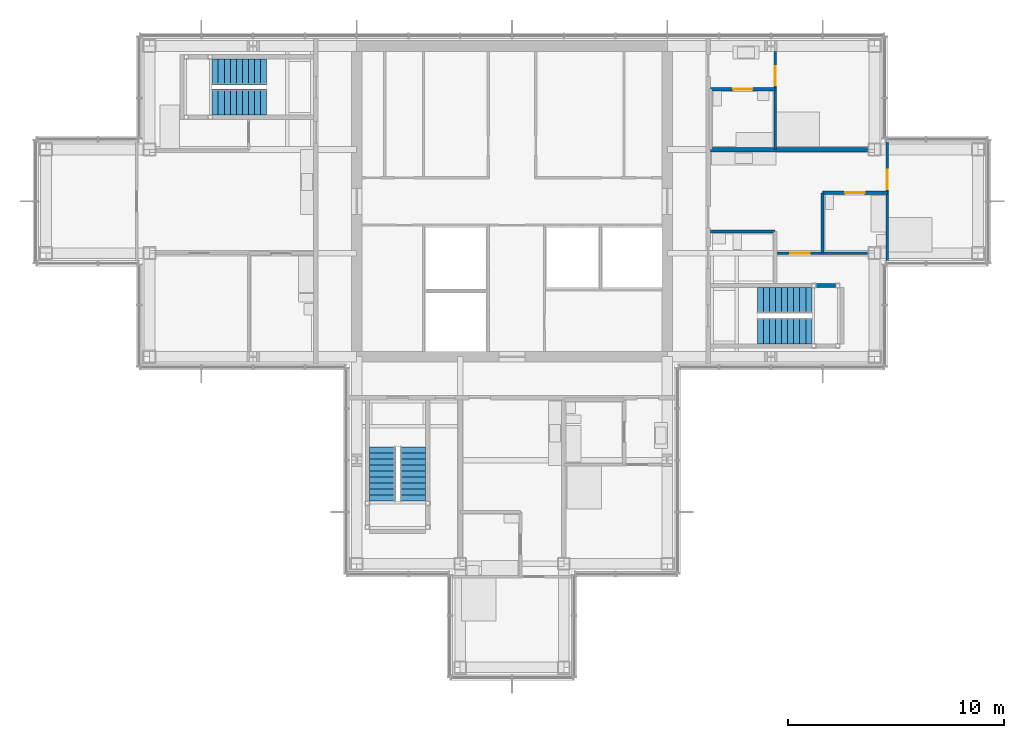
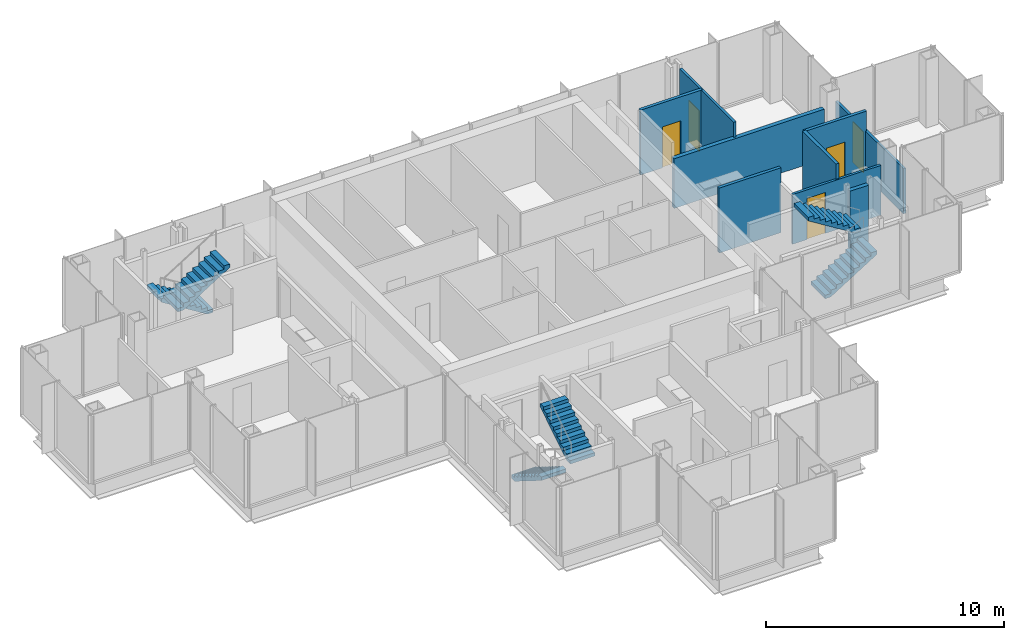
# One storey, part 12 of 15: 9 walls, 6 stair flights, 5 doors, 5 openings, 3 elements without a shape of their own.
"""IFC4 building model written with IfcOpenShell, lengths in metres."""

import ifcopenshell
import ifcopenshell.guid

model = None  # the IFC model being written
_history = None  # IfcOwnerHistory: only IFC2X3 demands one
_inside = {}  # id of a spatial element -> (the spatial element, [elements in it])
_under = {}  # id of a project, library or spatial element -> (it, [spatial elements below it])
_declared = {}  # id of a project -> (the project, [libraries it declares])
_typed = {}  # id of a type object -> (the type object, [elements of that type])
_made_of = {}  # id of a material, layer set ... -> (it, [elements and type objects made of it])


def new_model(schema):
    """Start an empty IFC model of exactly this schema.

    Asked for "IFC4X3", IfcOpenShell would pick the latest addendum, in which some entities
    have other attributes; the version numbers below select the first issue.
    IFC2X3 requires an IfcOwnerHistory on every rooted entity: one is made here for all.
    """
    global model, _history
    if schema == "IFC4X3":
        model = ifcopenshell.file(schema_version=(4, 3, 0, 0))
    else:
        model = ifcopenshell.file(schema=schema)
    _inside.clear()
    _under.clear()
    _declared.clear()
    _typed.clear()
    _made_of.clear()
    _history = None
    if model.schema == "IFC2X3":
        org = make("IfcOrganization", Name="unknown")
        user = make(
            "IfcPersonAndOrganization",
            ThePerson=make("IfcPerson", FamilyName="unknown"),
            TheOrganization=org,
        )
        app = make(
            "IfcApplication",
            ApplicationDeveloper=org,
            Version="unknown",
            ApplicationFullName="unknown",
            ApplicationIdentifier="unknown",
        )
        _history = make(
            "IfcOwnerHistory",
            OwningUser=user,
            OwningApplication=app,
            ChangeAction="ADDED",
            CreationDate=0,
        )
    return model


def make(cls, **values):
    """One entity of the class cls with the attributes given. An attribute that is None is left unset."""
    return model.create_entity(
        cls, **{name: value for name, value in values.items() if value is not None}
    )


def rooted(cls, **values):
    """An entity with a GlobalId (a new one), such as an element, a storey or a relation."""
    return make(cls, GlobalId=ifcopenshell.guid.new(), OwnerHistory=_history, **values)


def si_unit(unit_type, name, prefix=None):
    """IfcSIUnit, for example si_unit("LENGTHUNIT", "METRE", prefix="MILLI")."""
    return make("IfcSIUnit", UnitType=unit_type, Prefix=prefix, Name=name)


def assignment(units):
    """IfcUnitAssignment: the units of a project."""
    return None if units is None else make("IfcUnitAssignment", Units=units)


def point(xyz):
    """IfcCartesianPoint."""
    return None if xyz is None else make("IfcCartesianPoint", Coordinates=xyz)


def direction(xyz):
    """IfcDirection."""
    return None if xyz is None else make("IfcDirection", DirectionRatios=xyz)


def frame(location, z_axis=None, x_axis=None):
    """IfcAxis2Placement3D, a coordinate frame: its origin and axes. An axis left out is left unset."""
    return make(
        "IfcAxis2Placement3D",
        Location=point(location),
        Axis=direction(z_axis),
        RefDirection=direction(x_axis),
    )


def frame_2d(location, x_axis=None):
    """IfcAxis2Placement2D, a coordinate frame in the plane: its origin and x axis."""
    return make(
        "IfcAxis2Placement2D", Location=point(location), RefDirection=direction(x_axis)
    )


def origin():
    """The frame at (0, 0, 0) with its axes left unset."""
    return frame((0.0, 0.0, 0.0))


def place(relative_to, where):
    """IfcLocalPlacement: puts the frame where relative to a parent placement (None: the world)."""
    return make(
        "IfcLocalPlacement", PlacementRelTo=relative_to, RelativePlacement=where
    )


def context(
    kind, dimensions, precision=None, world=None, true_north=None, identifier=None
):
    """IfcGeometricRepresentationContext, for example the 3D "Model" context."""
    return make(
        "IfcGeometricRepresentationContext",
        ContextIdentifier=identifier,
        ContextType=kind,
        CoordinateSpaceDimension=dimensions,
        Precision=precision,
        WorldCoordinateSystem=world,
        TrueNorth=true_north,
    )


def subcontext(parent, identifier, kind, view, scale=None):
    """IfcGeometricRepresentationSubContext, for example "Body" below "Model"."""
    return make(
        "IfcGeometricRepresentationSubContext",
        ContextIdentifier=identifier,
        ContextType=kind,
        ParentContext=parent,
        TargetScale=scale,
        TargetView=view,
    )


def project(units=None, contexts=None):
    """IfcProject with its units and contexts."""
    return rooted(
        "IfcProject",
        Name="project",
        RepresentationContexts=contexts,
        UnitsInContext=assignment(units),
    )


def spatial(cls, under=None, at=None, **own):
    """A site, building, storey or space (cls), placed at a placement, below another one or the project."""
    s = rooted(cls, ObjectPlacement=at, **own)
    if under is not None:
        _under.setdefault(under.id(), (under, []))[1].append(s)
    return s


def polyline(points):
    """IfcPolyline through the points."""
    return make("IfcPolyline", Points=[point(p) for p in points])


def profile(cls, at=None, kind="AREA", **sizes):
    """A parametric profile (cls). Its sizes go by their IFC names, for example OverallWidth=200.0."""
    return make(cls, ProfileType=kind, Position=at, **sizes)


def rectangle(**sizes):
    """IfcRectangleProfileDef."""
    return profile("IfcRectangleProfileDef", **sizes)


def outline(outer, holes=None, kind="AREA"):
    """IfcArbitraryClosedProfileDef: a profile drawn as a closed curve; with holes, ...WithVoids."""
    if holes is None:
        return make("IfcArbitraryClosedProfileDef", ProfileType=kind, OuterCurve=outer)
    return make(
        "IfcArbitraryProfileDefWithVoids",
        ProfileType=kind,
        OuterCurve=outer,
        InnerCurves=holes,
    )


def extrude(swept, where, along, depth):
    """IfcExtrudedAreaSolid: the profile swept, set in the frame where, extruded along a direction by depth."""
    return make(
        "IfcExtrudedAreaSolid",
        SweptArea=swept,
        Position=where,
        ExtrudedDirection=direction(along),
        Depth=depth,
    )


def shape(context_of_items, identifier, shape_type, items):
    """IfcShapeRepresentation: the items that make up one representation, for example the "Body"."""
    return make(
        "IfcShapeRepresentation",
        ContextOfItems=context_of_items,
        RepresentationIdentifier=identifier,
        RepresentationType=shape_type,
        Items=items,
    )


def material(Name=None, Category=None):
    """IfcMaterial."""
    return make("IfcMaterial", Name=Name, Category=Category)


def layer(
    of_material, thickness, ventilated=None, Name=None, Category=None, Priority=None
):
    """IfcMaterialLayer: one layer of a wall or slab, of a material (None: an air gap)."""
    return make(
        "IfcMaterialLayer",
        Material=of_material,
        LayerThickness=thickness,
        IsVentilated=ventilated,
        Name=Name,
        Category=Category,
        Priority=Priority,
    )


def layer_set(layers, Name=None):
    """IfcMaterialLayerSet."""
    return make("IfcMaterialLayerSet", MaterialLayers=layers, LayerSetName=Name)


def made_of(thing, what):
    """Note that an element or type object is made of a material, layer set ...; save() writes the relation."""
    if what is not None:
        _made_of.setdefault(what.id(), (what, []))[1].append(thing)
    return thing


def type_object(cls, material=None, **own):
    """A type object (cls), such as IfcWallType, which elements share."""
    return made_of(rooted(cls, **own), material)


def element(
    cls,
    number,
    at=None,
    inside=None,
    cuts=None,
    type_object=None,
    material=None,
    context=None,
    identifier="Body",
    shape_type=None,
    held_by="IfcProductDefinitionShape",
    body=None,
    shapes=None,
    **own,
):
    """One element of the class cls, such as IfcWall. Its Tag is "e" and its number.

    at: its placement. inside: the storey or other place that contains it. cuts: it is an
    opening in that element (IfcRelVoidsElement). A single representation is given by context,
    identifier, shape_type and body (its items); several are given by shapes. held_by: the class
    of the entity that holds the representations. save() writes the other relations.
    """
    e = rooted(cls, Tag="e%d" % number, ObjectPlacement=at, **own)
    if body is not None:
        shapes = [shape(context, identifier, shape_type, body)]
    if shapes is not None:
        e.Representation = make(held_by, Representations=shapes)
    if inside is not None:
        _inside.setdefault(inside.id(), (inside, []))[1].append(e)
    if cuts is not None:
        rooted(
            "IfcRelVoidsElement", RelatingBuildingElement=cuts, RelatedOpeningElement=e
        )
    if type_object is not None:
        _typed.setdefault(type_object.id(), (type_object, []))[1].append(e)
    return made_of(e, material)


def fill(opening, filler):
    """IfcRelFillsElement: the door or window that sits in an opening."""
    return rooted(
        "IfcRelFillsElement",
        RelatingOpeningElement=opening,
        RelatedBuildingElement=filler,
    )


def aggregate(whole, parts):
    """IfcRelAggregates: a whole, such as a stair, and the parts it consists of."""
    return rooted("IfcRelAggregates", RelatingObject=whole, RelatedObjects=parts)


def save(model, path):
    """Write the relations noted so far, then the file.

    IfcRelAggregates (storeys below a building ...), IfcRelContainedInSpatialStructure (elements
    in a storey), IfcRelDefinesByType, IfcRelAssociatesMaterial and IfcRelDeclares: one each for
    every whole, place, type object, material and project.
    """
    for whole, parts in _under.values():
        aggregate(whole, parts)
    for where, things in _inside.values():
        rooted(
            "IfcRelContainedInSpatialStructure",
            RelatedElements=things,
            RelatingStructure=where,
        )
    for kind, things in _typed.values():
        rooted("IfcRelDefinesByType", RelatedObjects=things, RelatingType=kind)
    for what, things in _made_of.values():
        rooted("IfcRelAssociatesMaterial", RelatedObjects=things, RelatingMaterial=what)
    for by, libraries in _declared.values():
        rooted("IfcRelDeclares", RelatingContext=by, RelatedDefinitions=libraries)
    model.write(path)


model = new_model("IFC4")

# Units and contexts
model_context = context("Model", 3, precision=1e-05, world=origin(), true_north=direction((0.0, 1.0)))
body_context = subcontext(model_context, "Body", "Model", "MODEL_VIEW")
ifc_project = project(units=[si_unit("LENGTHUNIT", "METRE"), si_unit("AREAUNIT", "SQUARE_METRE"), si_unit("VOLUMEUNIT", "CUBIC_METRE"), si_unit("PLANEANGLEUNIT", "RADIAN"), si_unit("MASSUNIT", "GRAM", prefix="KILO")], contexts=[model_context])

# Site, building, storey
site_placement = place(None, origin())
site = spatial("IfcSite", under=ifc_project, at=site_placement, CompositionType="ELEMENT")
building_placement = place(site_placement, origin())
building = spatial("IfcBuilding", under=site, at=building_placement, Name="Kvirike Care Tower", CompositionType="ELEMENT")
storey_placement = place(building_placement, frame((0.0, 0.0, 219.0)))
storey = spatial("IfcBuildingStorey", under=building, at=storey_placement, Name="L60", CompositionType="ELEMENT", Elevation=219.0)

# Wall
ifc_material_1 = material(Name="Moisture-resistant board partition", Category="gypsum")
ifc_layer_1 = layer(ifc_material_1, 0.14990234375)
ifc_layer_set_1 = layer_set([ifc_layer_1], Name="BATHROOM WALL 150")
wall_type_1 = type_object("IfcWallType", Name="BATHROOM WALL 150", PredefinedType="PARTITIONING", material=ifc_layer_set_1)
wall_1_placement = place(storey_placement, frame((33.800048828125, 34.60009765625, 0.0), z_axis=(0.0, 0.0, 1.0), x_axis=(-1.0, 0.0, 0.0)))
element("IfcWall", 1, at=wall_1_placement, inside=storey, type_object=wall_type_1, Name="Bathroom Wall 150 L60", PredefinedType="PARTITIONING", context=body_context, shape_type="SweptSolid", body=[
    extrude(rectangle(XDim=3.0, YDim=0.14990234375, at=frame_2d((1.5, 0.0))), origin(), (0.0, 0.0, 1.0), 3.330078125),
])

# Wall, opening, door
wall_2_placement = place(storey_placement, frame((39.0, 36.39990234375, 0.0), z_axis=(0.0, 0.0, 1.0), x_axis=(-1.0, 0.0, 0.0)))
wall_2 = element("IfcWall", 2, at=wall_2_placement, inside=storey, type_object=wall_type_1, Name="Bathroom Wall 150 L60", PredefinedType="PARTITIONING", context=body_context, shape_type="SweptSolid", body=[
    extrude(rectangle(XDim=3.0, YDim=0.14990234375, at=frame_2d((1.5, 0.0))), origin(), (0.0, 0.0, 1.0), 3.330078125),
])
opening_1_placement = place(wall_2_placement, frame((1.050048828125, 0.0, 0.0)))
opening_1 = element("IfcOpeningElement", 3, at=opening_1_placement, cuts=wall_2, Name="Opening 60-015", PredefinedType="OPENING", context=body_context, shape_type="SweptSolid", body=[
    extrude(rectangle(XDim=0.89990234375, YDim=2.10009765625, at=frame_2d((0.449951171875, 1.050048828125))), frame((0.0, 0.08544921875, 0.0), z_axis=(0.0, -1.0, 0.0), x_axis=(1.0, 0.0, 0.0)), (0.0, 0.0, 1.0), 0.1708984375),
])
ifc_material_2 = material(Name="Timber door set", Category="wood")
door_type_1 = type_object("IfcDoorType", Name="BATHROOM DOOR 900", OperationType="SINGLE_SWING_RIGHT", PredefinedType="DOOR", material=ifc_material_2)
door_1_placement = place(opening_1_placement, origin())
door_1 = element("IfcDoor", 4, at=door_1_placement, inside=storey, type_object=door_type_1, Name="Bathroom door", OperationType="SINGLE_SWING_RIGHT", OverallHeight=2.10009765625, OverallWidth=0.89990234375, PredefinedType="DOOR", context=body_context, shape_type="SweptSolid", body=[
    extrude(rectangle(XDim=0.89990234375, YDim=2.10009765625, at=frame_2d((0.449951171875, 1.050048828125))), frame((0.0, 0.02197265625, 0.0), z_axis=(0.0, -1.0, 0.0), x_axis=(1.0, 0.0, 0.0)), (0.0, 0.0, 1.0), 0.0439453125),
])
fill(opening_1, door_1)

# Wall
wall_3_placement = place(storey_placement, frame((36.0, 33.60009765625, 0.0), z_axis=(0.0, 0.0, 1.0), x_axis=(0.0, 1.0, 0.0)))
element("IfcWall", 5, at=wall_3_placement, inside=storey, type_object=wall_type_1, Name="Bathroom Wall 150 L60", PredefinedType="PARTITIONING", context=body_context, shape_type="SweptSolid", body=[
    extrude(rectangle(XDim=2.7998046875, YDim=0.14990234375, at=frame_2d((1.39990234375, 0.0))), origin(), (0.0, 0.0, 1.0), 3.330078125),
])

# Wall, opening, door
wall_4_placement = place(storey_placement, frame((33.800048828125, 41.199951171875, 0.0), z_axis=(0.0, 0.0, 1.0), x_axis=(-1.0, 0.0, 0.0)))
wall_4 = element("IfcWall", 6, at=wall_4_placement, inside=storey, type_object=wall_type_1, Name="Bathroom Wall 150 L60", PredefinedType="PARTITIONING", context=body_context, shape_type="SweptSolid", body=[
    extrude(rectangle(XDim=3.0, YDim=0.14990234375, at=frame_2d((1.5, 0.0))), origin(), (0.0, 0.0, 1.0), 3.330078125),
])
opening_2_placement = place(wall_4_placement, frame((1.050048828125, 0.0, 0.0)))
opening_2 = element("IfcOpeningElement", 7, at=opening_2_placement, cuts=wall_4, Name="Opening 60-018", PredefinedType="OPENING", context=body_context, shape_type="SweptSolid", body=[
    extrude(rectangle(XDim=0.89990234375, YDim=2.10009765625, at=frame_2d((0.449951171875, 1.050048828125))), frame((0.0, 0.08544921875, 0.0), z_axis=(0.0, -1.0, 0.0), x_axis=(1.0, 0.0, 0.0)), (0.0, 0.0, 1.0), 0.1708984375),
])
door_2_placement = place(opening_2_placement, frame((0.89990234375, 0.0, 0.0), z_axis=(0.0, 0.0, 1.0), x_axis=(-1.0, 0.0, 0.0)))
door_2 = element("IfcDoor", 8, at=door_2_placement, inside=storey, type_object=door_type_1, Name="Bathroom door", OperationType="SINGLE_SWING_LEFT", OverallHeight=2.10009765625, OverallWidth=0.89990234375, PredefinedType="DOOR", context=body_context, shape_type="SweptSolid", body=[
    extrude(rectangle(XDim=0.89990234375, YDim=2.10009765625, at=frame_2d((0.449951171875, 1.050048828125))), frame((0.0, 0.02197265625, 0.0), z_axis=(0.0, -1.0, 0.0), x_axis=(1.0, 0.0, 0.0)), (0.0, 0.0, 1.0), 0.0439453125),
])
fill(opening_2, door_2)

ifc_material_3 = material(Name="Plasterboard partition", Category="gypsum")
ifc_layer_2 = layer(ifc_material_3, 0.1201171875)
ifc_layer_set_2 = layer_set([ifc_layer_2], Name="PARTITION 120")
wall_type_2 = type_object("IfcWallType", Name="PARTITION 120", PredefinedType="PARTITIONING", material=ifc_layer_set_2)
wall_5_placement = place(storey_placement, frame((39.0, 33.14501953125, 0.0), z_axis=(0.0, 0.0, 1.0), x_axis=(0.0, 1.0, 0.0)))
wall_5 = element("IfcWall", 9, at=wall_5_placement, inside=storey, type_object=wall_type_2, Name="Partition 120 L60", PredefinedType="PARTITIONING", context=body_context, shape_type="SweptSolid", body=[
    extrude(rectangle(XDim=5.7099609375, YDim=0.1201171875, at=frame_2d((2.85498046875, 0.0))), origin(), (0.0, 0.0, 1.0), 2.320068359375),
])
opening_3_placement = place(wall_5_placement, frame((3.429931640625, 0.0, 0.0)))
opening_3 = element("IfcOpeningElement", 10, at=opening_3_placement, cuts=wall_5, Name="Opening 60-016", PredefinedType="OPENING", context=body_context, shape_type="SweptSolid", body=[
    extrude(rectangle(XDim=0.89990234375, YDim=2.10009765625, at=frame_2d((0.449951171875, 1.050048828125))), frame((0.0, 0.070556640625, 0.0), z_axis=(0.0, -1.0, 0.0), x_axis=(1.0, 0.0, 0.0)), (0.0, 0.0, 1.0), 0.14111328125),
])
ifc_material_4 = material(Name="Timber door set", Category="wood")
door_type_2 = type_object("IfcDoorType", Name="INTERNAL DOOR 900", OperationType="SINGLE_SWING_LEFT", PredefinedType="DOOR", material=ifc_material_4)
door_3_placement = place(opening_3_placement, frame((0.89990234375, 0.0, 0.0), z_axis=(0.0, 0.0, 1.0), x_axis=(-1.0, 0.0, 0.0)))
door_3 = element("IfcDoor", 11, at=door_3_placement, inside=storey, type_object=door_type_2, Name="Apartment bedroom door", OperationType="SINGLE_SWING_RIGHT", OverallHeight=2.10009765625, OverallWidth=0.89990234375, PredefinedType="DOOR", context=body_context, shape_type="SweptSolid", body=[
    extrude(rectangle(XDim=0.89990234375, YDim=2.10009765625, at=frame_2d((0.449951171875, 1.050048828125))), frame((0.0, 0.02197265625, 0.0), z_axis=(0.0, -1.0, 0.0), x_axis=(1.0, 0.0, 0.0)), (0.0, 0.0, 1.0), 0.0439453125),
])
fill(opening_3, door_3)

wall_6_placement = place(storey_placement, frame((38.080078125, 33.60009765625, 0.0), z_axis=(0.0, 0.0, 1.0), x_axis=(-1.0, 0.0, 0.0)))
wall_6 = element("IfcWall", 12, at=wall_6_placement, inside=storey, type_object=wall_type_2, Name="Partition 120 L60", PredefinedType="PARTITIONING", context=body_context, shape_type="SweptSolid", body=[
    extrude(rectangle(XDim=4.280029296875, YDim=0.1201171875, at=frame_2d((2.14013671875, 0.0))), origin(), (0.0, 0.0, 1.0), 2.550048828125),
])
opening_4_placement = place(wall_6_placement, frame((2.679931640625, 0.0, 0.0)))
opening_4 = element("IfcOpeningElement", 13, at=opening_4_placement, cuts=wall_6, Name="Opening 60-017", PredefinedType="OPENING", context=body_context, shape_type="SweptSolid", body=[
    extrude(rectangle(XDim=0.89990234375, YDim=2.10009765625, at=frame_2d((0.449951171875, 1.050048828125))), frame((0.0, 0.070556640625, 0.0), z_axis=(0.0, -1.0, 0.0), x_axis=(1.0, 0.0, 0.0)), (0.0, 0.0, 1.0), 0.14111328125),
])
door_4_placement = place(opening_4_placement, origin())
door_4 = element("IfcDoor", 14, at=door_4_placement, inside=storey, type_object=door_type_2, Name="Connecting door", OperationType="SINGLE_SWING_LEFT", OverallHeight=2.10009765625, OverallWidth=0.89990234375, PredefinedType="DOOR", context=body_context, shape_type="SweptSolid", body=[
    extrude(rectangle(XDim=0.89990234375, YDim=2.10009765625, at=frame_2d((0.449951171875, 1.050048828125))), frame((0.0, 0.02197265625, 0.0), z_axis=(0.0, -1.0, 0.0), x_axis=(1.0, 0.0, 0.0)), (0.0, 0.0, 1.0), 0.0439453125),
])
fill(opening_4, door_4)

wall_7_placement = place(storey_placement, frame((33.800048828125, 38.39990234375, 0.0), z_axis=(0.0, 0.0, 1.0), x_axis=(0.0, 1.0, 0.0)))
wall_7 = element("IfcWall", 15, at=wall_7_placement, inside=storey, type_object=wall_type_2, Name="Partition 120 L60", PredefinedType="PARTITIONING", context=body_context, shape_type="SweptSolid", body=[
    extrude(rectangle(XDim=4.552978515625, YDim=0.1201171875, at=frame_2d((2.2763671875, 0.0))), origin(), (0.0, 0.0, 1.0), 3.330078125),
])
opening_5_placement = place(wall_7_placement, frame((2.97509765625, 0.0, 0.0)))
opening_5 = element("IfcOpeningElement", 16, at=opening_5_placement, cuts=wall_7, Name="Opening 60-019", PredefinedType="OPENING", context=body_context, shape_type="SweptSolid", body=[
    extrude(rectangle(XDim=0.89990234375, YDim=2.10009765625, at=frame_2d((0.449951171875, 1.050048828125))), frame((0.0, 0.070556640625, 0.0), z_axis=(0.0, -1.0, 0.0), x_axis=(1.0, 0.0, 0.0)), (0.0, 0.0, 1.0), 0.14111328125),
])
door_5_placement = place(opening_5_placement, origin())
door_5 = element("IfcDoor", 17, at=door_5_placement, inside=storey, type_object=door_type_2, Name="Studio apartment living room door", OperationType="SINGLE_SWING_RIGHT", OverallHeight=2.10009765625, OverallWidth=0.89990234375, PredefinedType="DOOR", context=body_context, shape_type="SweptSolid", body=[
    extrude(rectangle(XDim=0.89990234375, YDim=2.10009765625, at=frame_2d((0.449951171875, 1.050048828125))), frame((0.0, 0.02197265625, 0.0), z_axis=(0.0, -1.0, 0.0), x_axis=(1.0, 0.0, 0.0)), (0.0, 0.0, 1.0), 0.0439453125),
])
fill(opening_5, door_5)

# Walls
ifc_material_5 = material(Name="Plasterboard party wall", Category="gypsum")
ifc_layer_3 = layer(ifc_material_5, 0.199951171875)
ifc_layer_set_3 = layer_set([ifc_layer_3], Name="PARTY WALL 200")
wall_type_3 = type_object("IfcWallType", Name="PARTY WALL 200", PredefinedType="PARTITIONING", material=ifc_layer_set_3)
wall_8_placement = place(storey_placement, frame((38.080078125, 38.39990234375, 0.0), z_axis=(0.0, 0.0, 1.0), x_axis=(-1.0, 0.0, 0.0)))
element("IfcWall", 18, at=wall_8_placement, inside=storey, type_object=wall_type_3, Name="Party Wall 200 L60", PredefinedType="PARTITIONING", context=body_context, shape_type="SweptSolid", body=[
    extrude(rectangle(XDim=7.280029296875, YDim=0.199951171875, at=frame_2d((3.64013671875, 0.0))), origin(), (0.0, 0.0, 1.0), 2.550048828125),
])
ifc_material_6 = material(Name="Concrete C40/50", Category="concrete")
ifc_layer_4 = layer(ifc_material_6, 0.199951171875)
ifc_layer_set_4 = layer_set([ifc_layer_4], Name="STAIR WALL 200")
wall_type_4 = type_object("IfcWallType", Name="STAIR WALL 200", PredefinedType="SOLIDWALL", material=ifc_layer_set_4)
wall_9_placement = place(storey_placement, frame((36.60009765625, 32.10009765625, 0.0), z_axis=(0.0, 0.0, 1.0), x_axis=(-1.0, 0.0, 0.0)))
element("IfcWall", 19, at=wall_9_placement, inside=storey, type_object=wall_type_4, Name="Stair Wall 200 L60", PredefinedType="SOLIDWALL", context=body_context, shape_type="SweptSolid", body=[
    extrude(rectangle(XDim=0.900146484375, YDim=0.199951171875, at=frame_2d((0.4501953125, 0.0))), origin(), (0.0, 0.0, 1.0), 2.989990234375),
])

# Stair, stair flights
ifc_material_7 = material(Name="Concrete C35/45", Category="concrete")
stair_type = type_object("IfcStairType", Name="STAIR 20 RISERS", PredefinedType="HALF_TURN_STAIR", material=ifc_material_7)
stair_1_placement = place(storey_placement, origin())
stair_1 = element("IfcStair", 20, at=stair_1_placement, inside=storey, type_object=stair_type, Name="Stair 1 L60", PredefinedType="HALF_TURN_STAIR")
ifc_material_8 = material(Name="Concrete C35/45", Category="concrete")
stair_flight_type = type_object("IfcStairFlightType", Name="FLIGHT 10 RISERS", PredefinedType="STRAIGHT", material=ifc_material_8)
stair_flight_1_placement = place(storey_placement, frame((10.219970703125, 42.0, 0.0), z_axis=(0.0, 0.0, 1.0), x_axis=(-1.0, 0.0, 0.0)))
stair_flight_1 = element("IfcStairFlight", 21, at=stair_flight_1_placement, type_object=stair_flight_type, Name="Stair S1 flight 1 L60-L61", NumberOfRisers=10, NumberOfTreads=9, PredefinedType="STRAIGHT", RiserHeight=0.175, TreadLength=0.28, context=body_context, shape_type="SweptSolid", body=[
    extrude(outline(polyline([(0.0, 0.0), (0.0, 0.175048828125), (0.280029296875, 0.175048828125), (0.280029296875, 0.35009765625), (0.56005859375, 0.35009765625), (0.56005859375, 0.52490234375), (0.840087890625, 0.52490234375), (0.840087890625, 0.699951171875), (1.1201171875, 0.699951171875), (1.1201171875, 0.875), (1.39990234375, 0.875), (1.39990234375, 1.050048828125), (1.679931640625, 1.050048828125), (1.679931640625, 1.22509765625), (1.9599609375, 1.22509765625), (1.9599609375, 1.39990234375), (2.239990234375, 1.39990234375), (2.239990234375, 1.574951171875), (2.52001953125, 1.574951171875), (2.52001953125, 1.75), (2.52001953125, 1.398193359375), (0.28271484375, 0.0), (0.0, 0.0)])), frame((0.0, 0.60009765625, 0.0), z_axis=(0.0, -1.0, 0.0), x_axis=(1.0, 0.0, 0.0)), (0.0, 0.0, 1.0), 1.199951171875),
])
stair_flight_2_placement = place(storey_placement, frame((7.699951171875, 40.60009765625, 1.75), z_axis=(0.0, 0.0, 1.0), x_axis=(1.0, 0.0, 0.0)))
stair_flight_2 = element("IfcStairFlight", 22, at=stair_flight_2_placement, type_object=stair_flight_type, Name="Stair S1 flight 2 L60-L61", NumberOfRisers=10, NumberOfTreads=9, PredefinedType="STRAIGHT", RiserHeight=0.175, TreadLength=0.28, context=body_context, shape_type="SweptSolid", body=[
    extrude(outline(polyline([(0.0, 0.0), (0.0, 0.175048828125), (0.280029296875, 0.175048828125), (0.280029296875, 0.35009765625), (0.56005859375, 0.35009765625), (0.56005859375, 0.52490234375), (0.840087890625, 0.52490234375), (0.840087890625, 0.699951171875), (1.1201171875, 0.699951171875), (1.1201171875, 0.875), (1.39990234375, 0.875), (1.39990234375, 1.050048828125), (1.679931640625, 1.050048828125), (1.679931640625, 1.22509765625), (1.9599609375, 1.22509765625), (1.9599609375, 1.39990234375), (2.239990234375, 1.39990234375), (2.239990234375, 1.574951171875), (2.52001953125, 1.574951171875), (2.52001953125, 1.75), (2.52001953125, 1.398193359375), (0.28271484375, 0.0), (0.0, 0.0)])), frame((0.0, 0.60009765625, 0.0), z_axis=(0.0, -1.0, 0.0), x_axis=(1.0, 0.0, 0.0)), (0.0, 0.0, 1.0), 1.199951171875),
])
aggregate(stair_1, [stair_flight_1, stair_flight_2])

stair_2_placement = place(storey_placement, origin())
stair_2 = element("IfcStair", 23, at=stair_2_placement, inside=storey, type_object=stair_type, Name="Stair 2 L60", PredefinedType="HALF_TURN_STAIR")
stair_flight_3_placement = place(storey_placement, frame((32.97998046875, 30.0, 0.0), z_axis=(0.0, 0.0, 1.0), x_axis=(1.0, 0.0, 0.0)))
stair_flight_3 = element("IfcStairFlight", 24, at=stair_flight_3_placement, type_object=stair_flight_type, Name="Stair S2 flight 1 L60-L61", NumberOfRisers=10, NumberOfTreads=9, PredefinedType="STRAIGHT", RiserHeight=0.175, TreadLength=0.28, context=body_context, shape_type="SweptSolid", body=[
    extrude(outline(polyline([(0.0, 0.0), (0.0, 0.175048828125), (0.280029296875, 0.175048828125), (0.280029296875, 0.35009765625), (0.56005859375, 0.35009765625), (0.56005859375, 0.52490234375), (0.840087890625, 0.52490234375), (0.840087890625, 0.699951171875), (1.1201171875, 0.699951171875), (1.1201171875, 0.875), (1.39990234375, 0.875), (1.39990234375, 1.050048828125), (1.679931640625, 1.050048828125), (1.679931640625, 1.22509765625), (1.9599609375, 1.22509765625), (1.9599609375, 1.39990234375), (2.239990234375, 1.39990234375), (2.239990234375, 1.574951171875), (2.52001953125, 1.574951171875), (2.52001953125, 1.75), (2.52001953125, 1.398193359375), (0.28271484375, 0.0), (0.0, 0.0)])), frame((0.0, 0.60009765625, 0.0), z_axis=(0.0, -1.0, 0.0), x_axis=(1.0, 0.0, 0.0)), (0.0, 0.0, 1.0), 1.199951171875),
])
stair_flight_4_placement = place(storey_placement, frame((35.5, 31.39990234375, 1.75), z_axis=(0.0, 0.0, 1.0), x_axis=(-1.0, 0.0, 0.0)))
stair_flight_4 = element("IfcStairFlight", 25, at=stair_flight_4_placement, type_object=stair_flight_type, Name="Stair S2 flight 2 L60-L61", NumberOfRisers=10, NumberOfTreads=9, PredefinedType="STRAIGHT", RiserHeight=0.175, TreadLength=0.28, context=body_context, shape_type="SweptSolid", body=[
    extrude(outline(polyline([(0.0, 0.0), (0.0, 0.175048828125), (0.280029296875, 0.175048828125), (0.280029296875, 0.35009765625), (0.56005859375, 0.35009765625), (0.56005859375, 0.52490234375), (0.840087890625, 0.52490234375), (0.840087890625, 0.699951171875), (1.1201171875, 0.699951171875), (1.1201171875, 0.875), (1.39990234375, 0.875), (1.39990234375, 1.050048828125), (1.679931640625, 1.050048828125), (1.679931640625, 1.22509765625), (1.9599609375, 1.22509765625), (1.9599609375, 1.39990234375), (2.239990234375, 1.39990234375), (2.239990234375, 1.574951171875), (2.52001953125, 1.574951171875), (2.52001953125, 1.75), (2.52001953125, 1.398193359375), (0.28271484375, 0.0), (0.0, 0.0)])), frame((0.0, 0.60009765625, 0.0), z_axis=(0.0, -1.0, 0.0), x_axis=(1.0, 0.0, 0.0)), (0.0, 0.0, 1.0), 1.199951171875),
])
aggregate(stair_2, [stair_flight_3, stair_flight_4])

stair_3_placement = place(storey_placement, origin())
stair_3 = element("IfcStair", 26, at=stair_3_placement, inside=storey, type_object=stair_type, Name="Stair 5 L60", PredefinedType="HALF_TURN_STAIR")
stair_flight_5_placement = place(storey_placement, frame((15.60009765625, 24.6201171875, 0.0), z_axis=(0.0, 0.0, 1.0), x_axis=(0.0, -1.0, 0.0)))
stair_flight_5 = element("IfcStairFlight", 27, at=stair_flight_5_placement, type_object=stair_flight_type, Name="Stair S5 flight 1 L60-L61", NumberOfRisers=10, NumberOfTreads=9, PredefinedType="STRAIGHT", RiserHeight=0.175, TreadLength=0.28, context=body_context, shape_type="SweptSolid", body=[
    extrude(outline(polyline([(0.0, 0.0), (0.0, 0.175048828125), (0.280029296875, 0.175048828125), (0.280029296875, 0.35009765625), (0.56005859375, 0.35009765625), (0.56005859375, 0.52490234375), (0.840087890625, 0.52490234375), (0.840087890625, 0.699951171875), (1.1201171875, 0.699951171875), (1.1201171875, 0.875), (1.39990234375, 0.875), (1.39990234375, 1.050048828125), (1.679931640625, 1.050048828125), (1.679931640625, 1.22509765625), (1.9599609375, 1.22509765625), (1.9599609375, 1.39990234375), (2.239990234375, 1.39990234375), (2.239990234375, 1.574951171875), (2.52001953125, 1.574951171875), (2.52001953125, 1.75), (2.52001953125, 1.398193359375), (0.28271484375, 0.0), (0.0, 0.0)])), frame((0.0, 0.60009765625, 0.0), z_axis=(0.0, -1.0, 0.0), x_axis=(1.0, 0.0, 0.0)), (0.0, 0.0, 1.0), 1.199951171875),
])
stair_flight_6_placement = place(storey_placement, frame((17.0, 22.10009765625, 1.75), z_axis=(0.0, 0.0, 1.0), x_axis=(0.0, 1.0, 0.0)))
stair_flight_6 = element("IfcStairFlight", 28, at=stair_flight_6_placement, type_object=stair_flight_type, Name="Stair S5 flight 2 L60-L61", NumberOfRisers=10, NumberOfTreads=9, PredefinedType="STRAIGHT", RiserHeight=0.175, TreadLength=0.28, context=body_context, shape_type="SweptSolid", body=[
    extrude(outline(polyline([(0.0, 0.0), (0.0, 0.175048828125), (0.280029296875, 0.175048828125), (0.280029296875, 0.35009765625), (0.56005859375, 0.35009765625), (0.56005859375, 0.52490234375), (0.840087890625, 0.52490234375), (0.840087890625, 0.699951171875), (1.1201171875, 0.699951171875), (1.1201171875, 0.875), (1.39990234375, 0.875), (1.39990234375, 1.050048828125), (1.679931640625, 1.050048828125), (1.679931640625, 1.22509765625), (1.9599609375, 1.22509765625), (1.9599609375, 1.39990234375), (2.239990234375, 1.39990234375), (2.239990234375, 1.574951171875), (2.52001953125, 1.574951171875), (2.52001953125, 1.75), (2.52001953125, 1.398193359375), (0.28271484375, 0.0), (0.0, 0.0)])), frame((0.0, 0.60009765625, 0.0), z_axis=(0.0, -1.0, 0.0), x_axis=(1.0, 0.0, 0.0)), (0.0, 0.0, 1.0), 1.199951171875),
])
aggregate(stair_3, [stair_flight_5, stair_flight_6])

save(model, "model.ifc")
